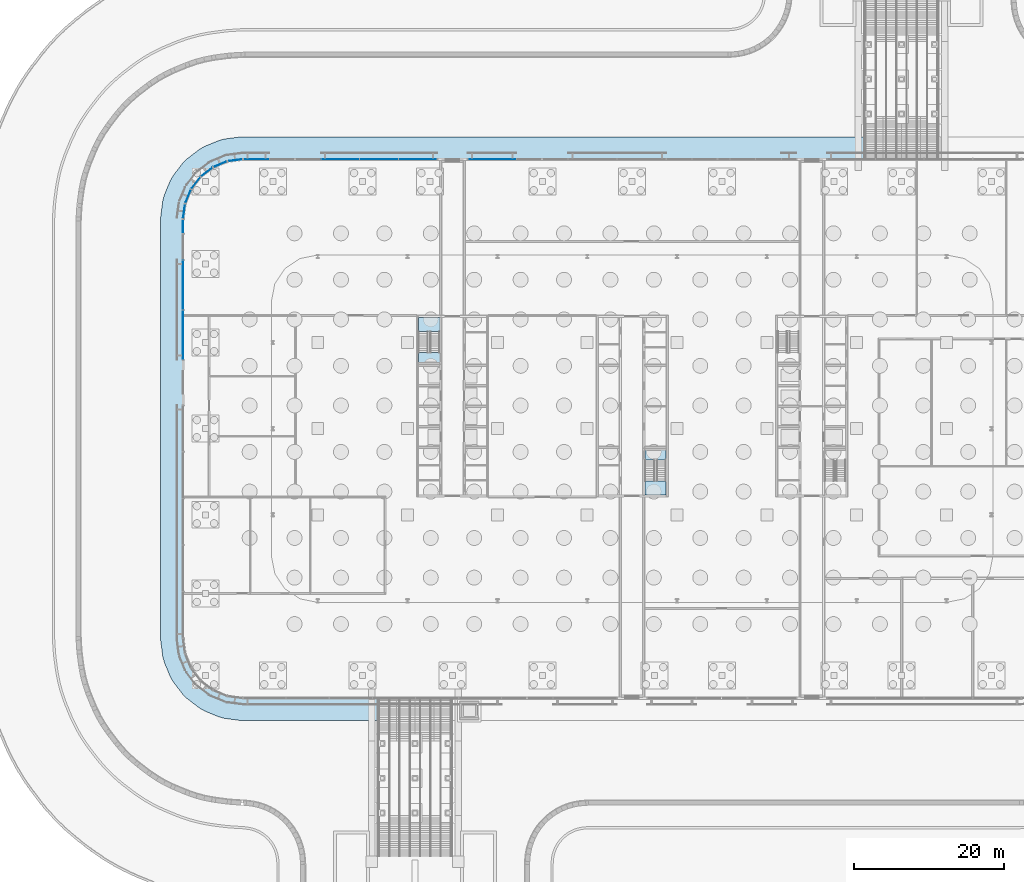
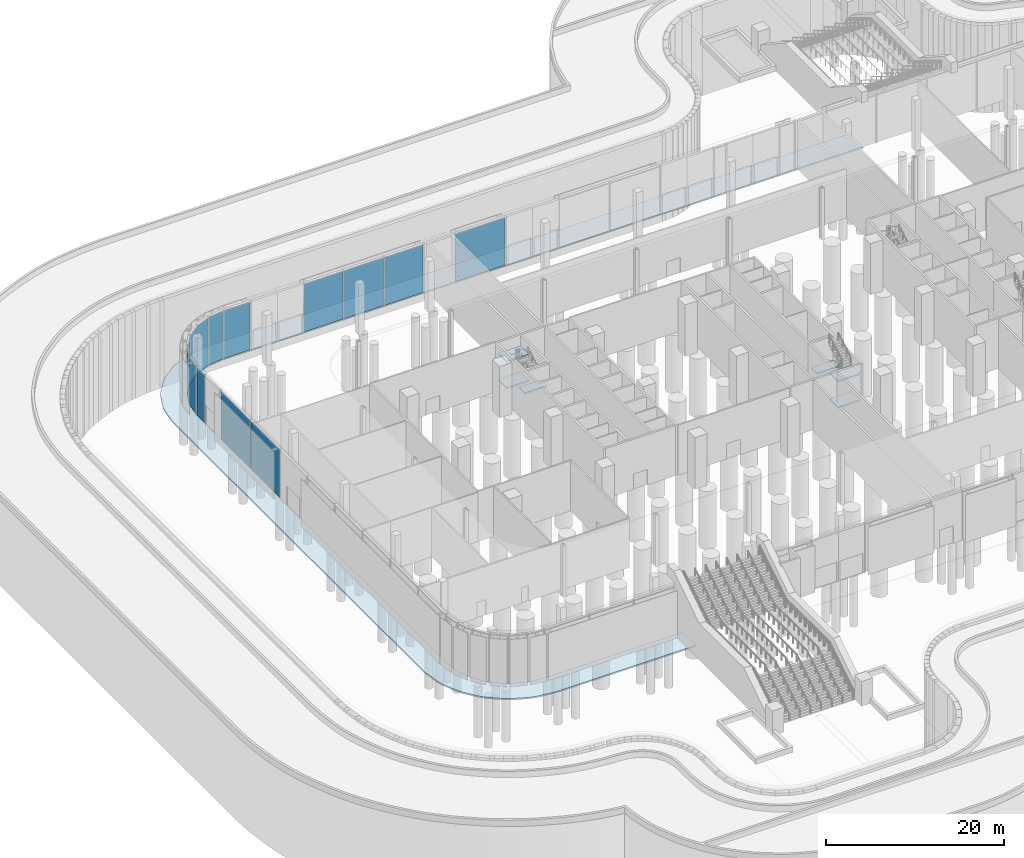
# One storey, part 15 of 48: 14 plates, 7 slabs, 13 elements without a shape of their own.
"""IFC4 building model written with IfcOpenShell, lengths in metres."""

from ifc_helpers import new_model, si_unit, direction, frame, origin, origin_2d, place, context, subcontext, project, spatial, polyline, rectangle, outline, extrude, material, layer, layer_set, type_object, element, aggregate, save


model = new_model("IFC4")

# Units and contexts
model_context = context("Model", 3, precision=1e-05, world=origin(), true_north=direction((0.0, 1.0)))
body_context = subcontext(model_context, "Body", "Model", "MODEL_VIEW")
ifc_project = project(units=[si_unit("LENGTHUNIT", "METRE"), si_unit("AREAUNIT", "SQUARE_METRE"), si_unit("VOLUMEUNIT", "CUBIC_METRE"), si_unit("PLANEANGLEUNIT", "RADIAN"), si_unit("MASSUNIT", "GRAM", prefix="KILO")], contexts=[model_context])

# Site, building, storey
site_placement = place(None, origin())
site = spatial("IfcSite", under=ifc_project, at=site_placement, CompositionType="ELEMENT")
building_placement = place(site_placement, origin())
building = spatial("IfcBuilding", under=site, at=building_placement, Name="Mahtab Terrace Research Tower", CompositionType="ELEMENT")
storey_placement = place(building_placement, origin())
storey = spatial("IfcBuildingStorey", under=building, at=storey_placement, Name="G", CompositionType="ELEMENT", Elevation=0.0)

# Stair, slabs
ifc_material_1 = material(Name="Exit stair half-turn")
stair_type = type_object("IfcStairType", Name="Exit stair half-turn", PredefinedType="HALF_TURN_STAIR", material=ifc_material_1)
stair_1_placement = place(storey_placement, origin())
stair_1 = element("IfcStair", 1, at=stair_1_placement, inside=storey, type_object=stair_type, Name="G Protected exit stair ST1", PredefinedType="HALF_TURN_STAIR")
ifc_material_2 = material(Name="Concrete C40/50", Category="concrete")
ifc_layer_1 = layer(ifc_material_2, 0.199951171875)
ifc_layer_set_1 = layer_set([ifc_layer_1], Name="Exit stair landing 200")
slab_type_1 = type_object("IfcSlabType", Name="Exit stair landing 200", PredefinedType="LANDING", material=ifc_layer_set_1)
slab_1_placement = place(storey_placement, frame((0.0, 0.0, 1.60009765625)))
slab_1 = element("IfcSlab", 2, at=slab_1_placement, type_object=slab_type_1, Name="ST1 landing 1", PredefinedType="LANDING", context=body_context, shape_type="SweptSolid", body=[
    extrude(outline(polyline([(-25.699951171875, 12.97509765625), (-25.699951171875, 14.875), (-28.550048828125, 14.875), (-28.550048828125, 12.97509765625), (-25.699951171875, 12.97509765625)])), origin(), (0.0, 0.0, 1.0), 0.199951171875),
])
slab_2_placement = place(storey_placement, frame((0.0, 0.0, 3.39990234375)))
slab_2 = element("IfcSlab", 3, at=slab_2_placement, type_object=slab_type_1, Name="ST1 landing 2", PredefinedType="LANDING", context=body_context, shape_type="SweptSolid", body=[
    extrude(outline(polyline([(-25.699951171875, 8.875), (-25.699951171875, 10.175048828125), (-28.550048828125, 10.175048828125), (-28.550048828125, 8.875), (-25.699951171875, 8.875)])), origin(), (0.0, 0.0, 1.0), 0.2001953125),
])
slab_3_placement = place(storey_placement, frame((0.0, 0.0, 5.199951171875)))
slab_3 = element("IfcSlab", 4, at=slab_3_placement, type_object=slab_type_1, Name="ST1 landing 3", PredefinedType="LANDING", context=body_context, shape_type="SweptSolid", body=[
    extrude(outline(polyline([(-25.699951171875, 12.97509765625), (-25.699951171875, 14.875), (-28.550048828125, 14.875), (-28.550048828125, 12.97509765625), (-25.699951171875, 12.97509765625)])), origin(), (0.0, 0.0, 1.0), 0.199951171875),
])
aggregate(stair_1, [slab_1, slab_2, slab_3])

stair_2_placement = place(storey_placement, origin())
stair_2 = element("IfcStair", 5, at=stair_2_placement, inside=storey, type_object=stair_type, Name="G Protected exit stair ST2", PredefinedType="HALF_TURN_STAIR")
slab_4_placement = place(storey_placement, frame((0.0, 0.0, 1.60009765625)))
slab_4 = element("IfcSlab", 6, at=slab_4_placement, type_object=slab_type_1, Name="ST2 landing 1", PredefinedType="LANDING", context=body_context, shape_type="SweptSolid", body=[
    extrude(outline(polyline([(1.699951171875, -6.97509765625), (1.699951171875, -8.875), (4.550048828125, -8.875), (4.550048828125, -6.97509765625), (1.699951171875, -6.97509765625)])), origin(), (0.0, 0.0, 1.0), 0.199951171875),
])
slab_5_placement = place(storey_placement, frame((0.0, 0.0, 3.39990234375)))
slab_5 = element("IfcSlab", 7, at=slab_5_placement, type_object=slab_type_1, Name="ST2 landing 2", PredefinedType="LANDING", context=body_context, shape_type="SweptSolid", body=[
    extrude(outline(polyline([(1.699951171875, -2.875), (1.699951171875, -4.175048828125), (4.550048828125, -4.175048828125), (4.550048828125, -2.875), (1.699951171875, -2.875)])), origin(), (0.0, 0.0, 1.0), 0.2001953125),
])
slab_6_placement = place(storey_placement, frame((0.0, 0.0, 5.199951171875)))
slab_6 = element("IfcSlab", 8, at=slab_6_placement, type_object=slab_type_1, Name="ST2 landing 3", PredefinedType="LANDING", context=body_context, shape_type="SweptSolid", body=[
    extrude(outline(polyline([(1.699951171875, -6.97509765625), (1.699951171875, -8.875), (4.550048828125, -8.875), (4.550048828125, -6.97509765625), (1.699951171875, -6.97509765625)])), origin(), (0.0, 0.0, 1.0), 0.199951171875),
])
aggregate(stair_2, [slab_4, slab_5, slab_6])

# Slab
ifc_material_3 = material(Name="Granite paving", Category="masonry")
ifc_layer_2 = layer(ifc_material_3, 0.199951171875)
ifc_layer_set_2 = layer_set([ifc_layer_2], Name="Granite apron paving 200")
slab_type_2 = type_object("IfcSlabType", Name="Granite apron paving 200", PredefinedType="USERDEFINED", material=ifc_layer_set_2)
slab_7_placement = place(storey_placement, frame((0.0, 0.0, -0.199951171875)))
element("IfcSlab", 9, at=slab_7_placement, inside=storey, type_object=slab_type_2, Name="Apron paving 2", ObjectType="PAVING", PredefinedType="USERDEFINED", context=body_context, shape_type="SweptSolid", body=[
    extrude(outline(polyline([(-52.0, -39.0), (-52.39208984375, -38.97412109375), (-54.462890625, -38.700927734375), (-55.218994140625, -38.4990234375), (-57.14794921875, -37.699951171875), (-57.825927734375, -37.30810546875), (-59.48291015625, -36.037109375), (-60.037109375, -35.48291015625), (-61.30810546875, -33.825927734375), (-61.699951171875, -33.14794921875), (-62.4990234375, -31.218994140625), (-62.700927734375, -30.462890625), (-62.97412109375, -28.39208984375), (-63.0, -28.0), (-63.0, 28.0), (-62.97412109375, 28.39208984375), (-62.700927734375, 30.462890625), (-62.4990234375, 31.218994140625), (-61.699951171875, 33.14794921875), (-61.30810546875, 33.825927734375), (-60.037109375, 35.48291015625), (-59.48291015625, 36.037109375), (-57.825927734375, 37.30810546875), (-57.14794921875, 37.699951171875), (-55.218994140625, 38.4990234375), (-54.462890625, 38.700927734375), (-52.39208984375, 38.97412109375), (-52.0, 39.0), (30.89990234375, 39.0), (30.89990234375, 36.0), (-52.0, 36.0), (-54.071044921875, 35.72705078125), (-56.0, 34.927978515625), (-57.656982421875, 33.656982421875), (-58.927978515625, 32.0), (-59.72705078125, 30.071044921875), (-60.0, 28.0), (-60.0, -28.0), (-59.72705078125, -30.071044921875), (-58.927978515625, -32.0), (-57.656982421875, -33.656982421875), (-56.0, -34.927978515625), (-54.071044921875, -35.72705078125), (-52.0, -36.0), (-34.10009765625, -36.0), (-34.10009765625, -39.0), (-52.0, -39.0)])), origin(), (0.0, 0.0, 1.0), 0.199951171875),
])

# Curtain wall, plate
ifc_material_4 = material(Name="Ground lobby curtain wall")
curtain_wall_type = type_object("IfcCurtainWallType", Name="Ground lobby curtain wall", PredefinedType="NOTDEFINED", material=ifc_material_4)
curtain_wall_1_placement = place(storey_placement, origin())
curtain_wall_1 = element("IfcCurtainWall", 10, at=curtain_wall_1_placement, inside=storey, type_object=curtain_wall_type, Name="EN.G.5.11", PredefinedType="NOTDEFINED")
ifc_material_5 = material(Name="Dark glazing", Category="glass")
ifc_layer_3 = layer(ifc_material_5, 0.0439453125)
ifc_layer_set_3 = layer_set([ifc_layer_3], Name="Ground lobby curtain wall glazing panel")
plate_type = type_object("IfcPlateType", Name="Ground lobby curtain wall glazing panel", PredefinedType="CURTAIN_PANEL", material=ifc_layer_set_3)
plate_1_placement = place(storey_placement, frame((-18.699951171875, 36.0, 0.0), z_axis=(0.0, 0.0, 1.0), x_axis=(-1.0, 0.0, 0.0)))
plate_1 = element("IfcPlate", 11, at=plate_1_placement, type_object=plate_type, Name="CWG-1 panel 1", PredefinedType="CURTAIN_PANEL", context=body_context, shape_type="SweptSolid", body=[
    extrude(rectangle(XDim=6.43994140625, YDim=0.0439453125, at=origin_2d()), origin(), (0.0, 0.0, 1.0), 6.56005859375),
])
aggregate(curtain_wall_1, [plate_1])

# Curtain wall, plates
curtain_wall_2_placement = place(storey_placement, origin())
curtain_wall_2 = element("IfcCurtainWall", 12, at=curtain_wall_2_placement, inside=storey, type_object=curtain_wall_type, Name="EN.G.5.13", PredefinedType="NOTDEFINED")
plate_2_placement = place(storey_placement, frame((-28.6201171875, 36.0, 0.0), z_axis=(0.0, 0.0, 1.0), x_axis=(-1.0, 0.0, 0.0)))
plate_2 = element("IfcPlate", 13, at=plate_2_placement, type_object=plate_type, Name="CWG-1 panel 1", PredefinedType="CURTAIN_PANEL", context=body_context, shape_type="SweptSolid", body=[
    extrude(rectangle(XDim=5.080078125, YDim=0.0439453125, at=origin_2d()), origin(), (0.0, 0.0, 1.0), 6.56005859375),
])
plate_3_placement = place(storey_placement, frame((-33.800048828125, 36.0, 0.0), z_axis=(0.0, 0.0, 1.0), x_axis=(-1.0, 0.0, 0.0)))
plate_3 = element("IfcPlate", 14, at=plate_3_placement, type_object=plate_type, Name="CWG-1 panel 2", PredefinedType="CURTAIN_PANEL", context=body_context, shape_type="SweptSolid", body=[
    extrude(rectangle(XDim=5.1201171875, YDim=0.0439453125, at=origin_2d()), origin(), (0.0, 0.0, 1.0), 6.56005859375),
])
plate_4_placement = place(storey_placement, frame((-38.97998046875, 36.0, 0.0), z_axis=(0.0, 0.0, 1.0), x_axis=(-1.0, 0.0, 0.0)))
plate_4 = element("IfcPlate", 15, at=plate_4_placement, type_object=plate_type, Name="CWG-1 panel 3", PredefinedType="CURTAIN_PANEL", context=body_context, shape_type="SweptSolid", body=[
    extrude(rectangle(XDim=5.080078125, YDim=0.0439453125, at=origin_2d()), origin(), (0.0, 0.0, 1.0), 6.56005859375),
])
aggregate(curtain_wall_2, [plate_2, plate_3, plate_4])

# Curtain wall, plate
curtain_wall_3_placement = place(storey_placement, origin())
curtain_wall_3 = element("IfcCurtainWall", 16, at=curtain_wall_3_placement, inside=storey, type_object=curtain_wall_type, Name="EN.G.5.16", PredefinedType="NOTDEFINED")
plate_5_placement = place(storey_placement, frame((-50.199951171875, 36.0, 0.0), z_axis=(0.0, 0.0, 1.0), x_axis=(-1.0, 0.0, 0.0)))
plate_5 = element("IfcPlate", 17, at=plate_5_placement, type_object=plate_type, Name="CWG-1 panel 1", PredefinedType="CURTAIN_PANEL", context=body_context, shape_type="SweptSolid", body=[
    extrude(rectangle(XDim=3.43994140625, YDim=0.0439453125, at=origin_2d()), origin(), (0.0, 0.0, 1.0), 6.56005859375),
])
aggregate(curtain_wall_3, [plate_5])

curtain_wall_4_placement = place(storey_placement, origin())
curtain_wall_4 = element("IfcCurtainWall", 18, at=curtain_wall_4_placement, inside=storey, type_object=curtain_wall_type, Name="EN.G.6.0", PredefinedType="NOTDEFINED")
plate_6_placement = place(storey_placement, frame((-53.035400390625, 35.863525390625, 0.0), z_axis=(0.0, 0.0, 1.0), x_axis=(-0.991423309059, -0.130689793992, 0.0)))
plate_6 = element("IfcPlate", 19, at=plate_6_placement, type_object=plate_type, Name="CWG-1 panel 1", PredefinedType="CURTAIN_PANEL", context=body_context, shape_type="SweptSolid", body=[
    extrude(rectangle(XDim=1.928955078125, YDim=0.0439453125, at=origin_2d()), origin(), (0.0, 0.0, 1.0), 6.56005859375),
])
aggregate(curtain_wall_4, [plate_6])

curtain_wall_5_placement = place(storey_placement, origin())
curtain_wall_5 = element("IfcCurtainWall", 20, at=curtain_wall_5_placement, inside=storey, type_object=curtain_wall_type, Name="EN.G.7.0", PredefinedType="NOTDEFINED")
plate_7_placement = place(storey_placement, frame((-55.035400390625, 35.327392578125, 0.0), z_axis=(0.0, 0.0, 1.0), x_axis=(-0.923882573998, -0.382676089485, 0.0)))
plate_7 = element("IfcPlate", 21, at=plate_7_placement, type_object=plate_type, Name="CWG-1 panel 1", PredefinedType="CURTAIN_PANEL", context=body_context, shape_type="SweptSolid", body=[
    extrude(rectangle(XDim=1.927978515625, YDim=0.0439453125, at=origin_2d()), origin(), (0.0, 0.0, 1.0), 6.56005859375),
])
aggregate(curtain_wall_5, [plate_7])

curtain_wall_6_placement = place(storey_placement, origin())
curtain_wall_6 = element("IfcCurtainWall", 22, at=curtain_wall_6_placement, inside=storey, type_object=curtain_wall_type, Name="EN.G.8.0", PredefinedType="NOTDEFINED")
plate_8_placement = place(storey_placement, frame((-56.82861328125, 34.29248046875, 0.0), z_axis=(0.0, 0.0, 1.0), x_axis=(-0.793459901021, -0.60862253119, 0.0)))
plate_8 = element("IfcPlate", 23, at=plate_8_placement, type_object=plate_type, Name="CWG-1 panel 1", PredefinedType="CURTAIN_PANEL", context=body_context, shape_type="SweptSolid", body=[
    extrude(rectangle(XDim=1.92822265625, YDim=0.0439453125, at=origin_2d()), origin(), (0.0, 0.0, 1.0), 6.56005859375),
])
aggregate(curtain_wall_6, [plate_8])

curtain_wall_7_placement = place(storey_placement, origin())
curtain_wall_7 = element("IfcCurtainWall", 24, at=curtain_wall_7_placement, inside=storey, type_object=curtain_wall_type, Name="EN.G.9.0", PredefinedType="NOTDEFINED")
plate_9_placement = place(storey_placement, frame((-58.29248046875, 32.82861328125, 0.0), z_axis=(0.0, 0.0, 1.0), x_axis=(-0.60862253119, -0.793459901021, 0.0)))
plate_9 = element("IfcPlate", 25, at=plate_9_placement, type_object=plate_type, Name="CWG-1 panel 1", PredefinedType="CURTAIN_PANEL", context=body_context, shape_type="SweptSolid", body=[
    extrude(rectangle(XDim=1.92822265625, YDim=0.0439453125, at=origin_2d()), origin(), (0.0, 0.0, 1.0), 6.56005859375),
])
aggregate(curtain_wall_7, [plate_9])

curtain_wall_8_placement = place(storey_placement, origin())
curtain_wall_8 = element("IfcCurtainWall", 26, at=curtain_wall_8_placement, inside=storey, type_object=curtain_wall_type, Name="EN.G.10.0", PredefinedType="NOTDEFINED")
plate_10_placement = place(storey_placement, frame((-59.327392578125, 31.035400390625, 0.0), z_axis=(0.0, 0.0, 1.0), x_axis=(-0.382676089485, -0.923882573998, 0.0)))
plate_10 = element("IfcPlate", 27, at=plate_10_placement, type_object=plate_type, Name="CWG-1 panel 1", PredefinedType="CURTAIN_PANEL", context=body_context, shape_type="SweptSolid", body=[
    extrude(rectangle(XDim=1.927978515625, YDim=0.0439453125, at=origin_2d()), origin(), (0.0, 0.0, 1.0), 6.56005859375),
])
aggregate(curtain_wall_8, [plate_10])

curtain_wall_9_placement = place(storey_placement, origin())
curtain_wall_9 = element("IfcCurtainWall", 28, at=curtain_wall_9_placement, inside=storey, type_object=curtain_wall_type, Name="EN.G.11.0", PredefinedType="NOTDEFINED")
plate_11_placement = place(storey_placement, frame((-59.863525390625, 29.035400390625, 0.0), z_axis=(0.0, 0.0, 1.0), x_axis=(-0.130689793992, -0.991423309059, 0.0)))
plate_11 = element("IfcPlate", 29, at=plate_11_placement, type_object=plate_type, Name="CWG-1 panel 1", PredefinedType="CURTAIN_PANEL", context=body_context, shape_type="SweptSolid", body=[
    extrude(rectangle(XDim=1.928955078125, YDim=0.0439453125, at=origin_2d()), origin(), (0.0, 0.0, 1.0), 6.56005859375),
])
aggregate(curtain_wall_9, [plate_11])

curtain_wall_10_placement = place(storey_placement, origin())
curtain_wall_10 = element("IfcCurtainWall", 30, at=curtain_wall_10_placement, inside=storey, type_object=curtain_wall_type, Name="EN.G.12.0", PredefinedType="NOTDEFINED")
plate_12_placement = place(storey_placement, frame((-60.0, 27.0, 0.0), z_axis=(0.0, 0.0, 1.0), x_axis=(0.0, -1.0, 0.0)))
plate_12 = element("IfcPlate", 31, at=plate_12_placement, type_object=plate_type, Name="CWG-1 panel 1", PredefinedType="CURTAIN_PANEL", context=body_context, shape_type="SweptSolid", body=[
    extrude(rectangle(XDim=1.840087890625, YDim=0.0439453125, at=origin_2d()), origin(), (0.0, 0.0, 1.0), 6.56005859375),
])
aggregate(curtain_wall_10, [plate_12])

# Curtain wall, plates
curtain_wall_11_placement = place(storey_placement, origin())
curtain_wall_11 = element("IfcCurtainWall", 32, at=curtain_wall_11_placement, inside=storey, type_object=curtain_wall_type, Name="EN.G.12.2", PredefinedType="NOTDEFINED")
plate_13_placement = place(storey_placement, frame((-60.0, 19.217529296875, 0.0), z_axis=(0.0, 0.0, 1.0), x_axis=(0.0, -1.0, 0.0)))
plate_13 = element("IfcPlate", 33, at=plate_13_placement, type_object=plate_type, Name="CWG-1 panel 1", PredefinedType="CURTAIN_PANEL", context=body_context, shape_type="SweptSolid", body=[
    extrude(rectangle(XDim=6.60498046875, YDim=0.0439453125, at=origin_2d()), origin(), (0.0, 0.0, 1.0), 6.56005859375),
])
plate_14_placement = place(storey_placement, frame((-60.0, 12.532470703125, 0.0), z_axis=(0.0, 0.0, 1.0), x_axis=(0.0, -1.0, 0.0)))
plate_14 = element("IfcPlate", 34, at=plate_14_placement, type_object=plate_type, Name="CWG-1 panel 2", PredefinedType="CURTAIN_PANEL", context=body_context, shape_type="SweptSolid", body=[
    extrude(rectangle(XDim=6.60498046875, YDim=0.0439453125, at=origin_2d()), origin(), (0.0, 0.0, 1.0), 6.56005859375),
])
aggregate(curtain_wall_11, [plate_13, plate_14])

save(model, "model.ifc")
